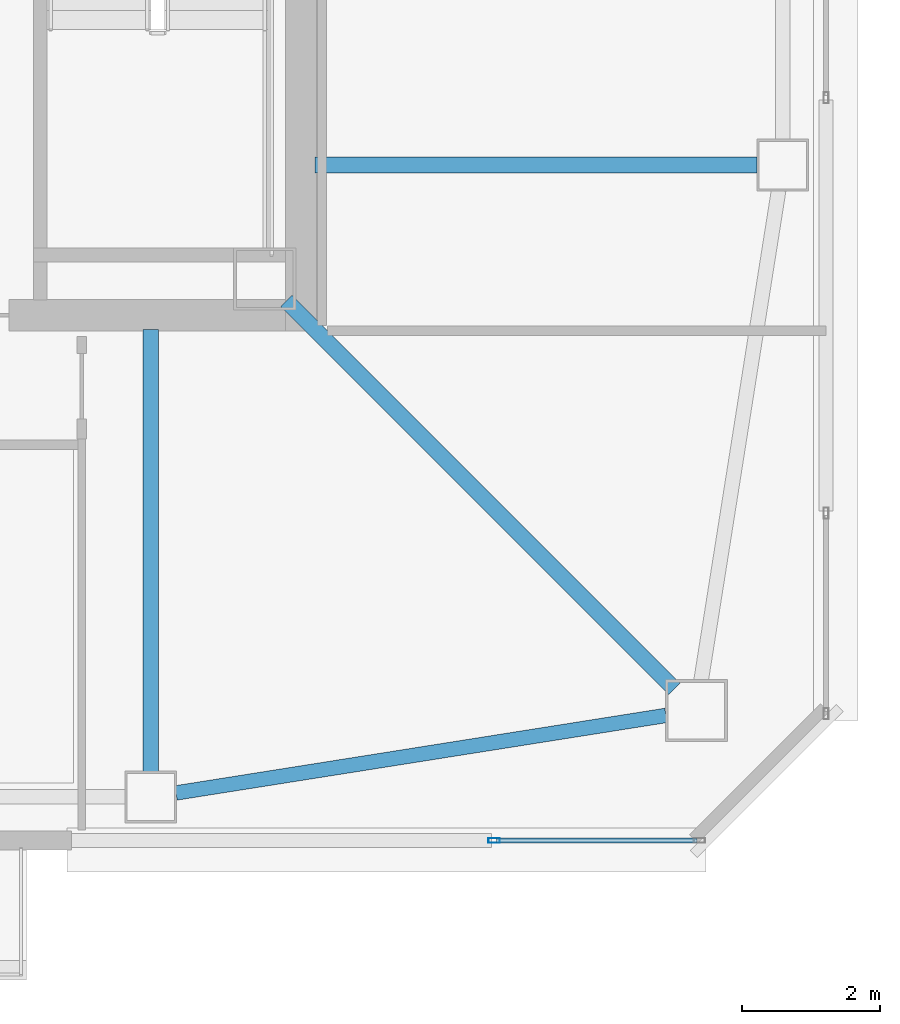
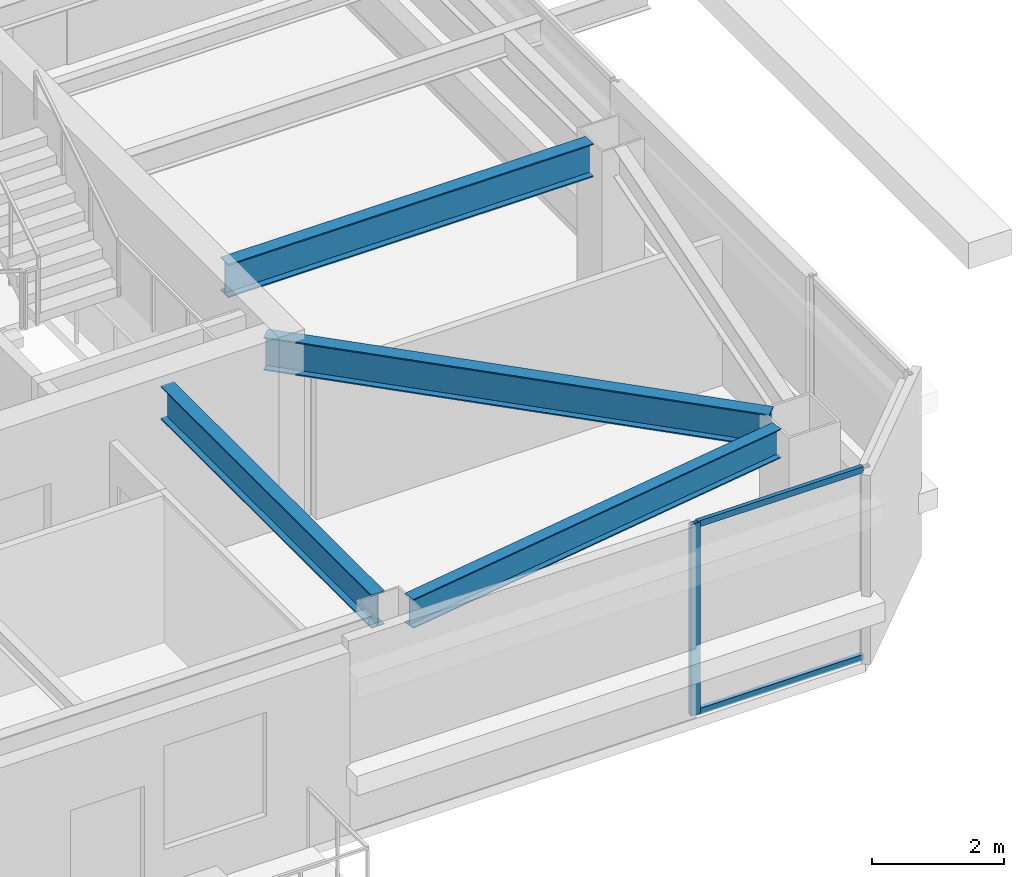
# One storey, part 6 of 31: 4 beams, 3 members, 1 element without a shape of its own.
"""IFC4 building model written with IfcOpenShell, lengths in metres."""

from ifc_helpers import new_model, si_unit, direction, frame, origin, origin_2d, place, context, subcontext, project, spatial, hollow_rectangle, i_section, extrude, material, material_profile, profile_set, type_object, element, aggregate, save


model = new_model("IFC4")

# Units and contexts
model_context = context("Model", 3, precision=1e-05, world=origin(), true_north=direction((0.0, 1.0)))
body_context = subcontext(model_context, "Body", "Model", "MODEL_VIEW")
ifc_project = project(units=[si_unit("LENGTHUNIT", "METRE"), si_unit("AREAUNIT", "SQUARE_METRE"), si_unit("VOLUMEUNIT", "CUBIC_METRE"), si_unit("PLANEANGLEUNIT", "RADIAN"), si_unit("MASSUNIT", "GRAM", prefix="KILO")], contexts=[model_context])

# Site, building, storey
site_placement = place(None, origin())
site = spatial("IfcSite", under=ifc_project, at=site_placement, CompositionType="ELEMENT")
building_placement = place(site_placement, origin())
building = spatial("IfcBuilding", under=site, at=building_placement, Name="Tashvorn Skyway Center", CompositionType="ELEMENT")
storey_placement = place(building_placement, frame((0.0, 0.0, 266.949951171875)))
storey = spatial("IfcBuildingStorey", under=building, at=storey_placement, Name="L72", CompositionType="ELEMENT", Elevation=266.949951171875)

# Beams
ifc_material_1 = material(Name="Steel ASTM A992 Grade 50", Category="steel")
ifc_material_profile_1 = material_profile(ifc_material_1, i_section(OverallWidth=0.22998046875, OverallDepth=0.616943359375, WebThickness=0.01318359375, FlangeThickness=0.022216796875, at=origin_2d()), Name="W24X94")
ifc_profile_set_1 = profile_set([ifc_material_profile_1], Name="Steel ASTM A992 Grade 50")
beam_type_1 = type_object("IfcBeamType", Name="BM-BEAM-W24X94", PredefinedType="BEAM", material=ifc_profile_set_1)
beam_1_placement = place(storey_placement, frame((54.9853515625, 19.0146484375, 3.0615234375), z_axis=(-0.707106781187, 0.707106781187, 0.0), x_axis=(-0.707106781187, -0.707106781187, 0.0)))
element("IfcBeam", 1, at=beam_1_placement, inside=storey, type_object=beam_type_1, Name="Tower 1 L72 Primary Floor Girder MC-SE", PredefinedType="BEAM", context=body_context, shape_type="SweptSolid", body=[
    extrude(i_section(OverallWidth=0.22998046875, OverallDepth=0.616943359375, WebThickness=0.01318359375, FlangeThickness=0.022216796875, at=origin_2d()), origin(), (0.0, 0.0, 1.0), 7.94873046875),
])
for number, where, z_axis, x_axis, name in (
    (2, (47.39990234375, 17.820068359375, 3.0615234375), (0.0, 1.0, 0.0), (-1.0, 0.0, 0.0), "Tower 1 L72 Primary Floor Girder FC-S2"),
    (3, (56.179931640625, 26.60009765625, 3.0615234375), (-1.0, 0.0, 0.0), (0.0, -1.0, 0.0), "Tower 1 L72 Primary Floor Girder FC-E1"),
):
    element("IfcBeam", number, at=place(storey_placement, frame(where, z_axis=z_axis, x_axis=x_axis)), inside=storey, type_object=beam_type_1, Name=name, PredefinedType="BEAM", context=body_context, shape_type="SweptSolid", body=[
        extrude(i_section(OverallWidth=0.22998046875, OverallDepth=0.616943359375, WebThickness=0.01318359375, FlangeThickness=0.022216796875, at=origin_2d()), origin(), (0.0, 0.0, 1.0), 6.39990234375),
    ])
ifc_material_profile_2 = material_profile(ifc_material_1, i_section(OverallWidth=0.2109375, OverallDepth=0.5390625, WebThickness=0.01171875, FlangeThickness=0.018798828125, at=origin_2d()), Name="W21X73")
ifc_profile_set_2 = profile_set([ifc_material_profile_2], Name="Steel ASTM A992 Grade 50")
beam_type_2 = type_object("IfcBeamType", Name="BM-SPANDREL-W21X73", PredefinedType="SPANDREL", material=ifc_profile_set_2)
beam_2_placement = place(storey_placement, frame((47.765380859375, 17.5078125, 3.1005859375), z_axis=(0.987713587978, 0.156274976, 0.0), x_axis=(-0.156274976, 0.987713587978, 0.0)))
element("IfcBeam", 4, at=beam_2_placement, inside=storey, type_object=beam_type_2, Name="Tower 1 L72 Spandrel Beam 03", PredefinedType="SPANDREL", context=body_context, shape_type="SweptSolid", body=[
    extrude(i_section(OverallWidth=0.2109375, OverallDepth=0.5390625, WebThickness=0.01171875, FlangeThickness=0.018798828125, at=origin_2d()), origin(), (0.0, 0.0, 1.0), 7.18310546875),
])

# Curtain wall, members
ifc_material_2 = material(Name="Thermally broken bronze-anodized aluminium 6063-T6", Category="aluminium")
curtain_wall_type = type_object("IfcCurtainWallType", Name="CW-CW-Z5", PredefinedType="NOTDEFINED", material=ifc_material_2)
curtain_wall_placement = place(storey_placement, origin())
curtain_wall = element("IfcCurtainWall", 5, at=curtain_wall_placement, inside=storey, type_object=curtain_wall_type, Name="Tower 1 L72 South Curtain Wall L Glazing Group 1", PredefinedType="NOTDEFINED")
ifc_material_profile_3 = material_profile(ifc_material_2, hollow_rectangle(XDim=0.070068359375, YDim=0.1650390625, WallThickness=0.00390625, at=origin_2d()), Name="ALU-MULL-70x165")
ifc_profile_set_3 = profile_set([ifc_material_profile_3], Name="Thermally broken bronze-anodized aluminium 6063-T6")
member_type_1 = type_object("IfcMemberType", Name="CWM-CW-Z5", PredefinedType="MULLION", material=ifc_profile_set_3)
member_1_placement = place(storey_placement, frame((52.37158203125, 16.820068359375, 0.0), z_axis=(0.0, 0.0, 1.0), x_axis=(0.0, -1.0, 0.0)))
member_1 = element("IfcMember", 6, at=member_1_placement, type_object=member_type_1, Name="CW-Z5 mullion 2", PredefinedType="MULLION", context=body_context, shape_type="SweptSolid", body=[
    extrude(hollow_rectangle(XDim=0.070068359375, YDim=0.1650390625, WallThickness=0.00390625, at=origin_2d()), origin(), (0.0, 0.0, 1.0), 3.550048828125),
])
ifc_material_profile_4 = material_profile(ifc_material_2, hollow_rectangle(XDim=0.070068359375, YDim=0.114990234375, WallThickness=0.00390625, at=origin_2d()), Name="ALU-TRAN-70x115")
ifc_profile_set_4 = profile_set([ifc_material_profile_4], Name="Thermally broken bronze-anodized aluminium 6063-T6")
member_type_2 = type_object("IfcMemberType", Name="CWT-CW-Z5", PredefinedType="USERDEFINED", material=ifc_profile_set_4)
member_2_placement = place(storey_placement, frame((55.31005859375, 16.820068359375, 0.03515625), z_axis=(-1.0, 0.0, 0.0), x_axis=(0.0, -1.0, 0.0)))
member_2 = element("IfcMember", 7, at=member_2_placement, type_object=member_type_2, Name="CW-Z5 transom 1.1", ObjectType="TRANSOM", PredefinedType="USERDEFINED", context=body_context, shape_type="SweptSolid", body=[
    extrude(hollow_rectangle(XDim=0.070068359375, YDim=0.114990234375, WallThickness=0.00390625, at=origin_2d()), origin(), (0.0, 0.0, 1.0), 2.9033203125),
])
member_3_placement = place(storey_placement, frame((55.31005859375, 16.820068359375, 3.51513671875), z_axis=(-1.0, 0.0, 0.0), x_axis=(0.0, -1.0, 0.0)))
member_3 = element("IfcMember", 8, at=member_3_placement, type_object=member_type_2, Name="CW-Z5 transom 1.2", ObjectType="TRANSOM", PredefinedType="USERDEFINED", context=body_context, shape_type="SweptSolid", body=[
    extrude(hollow_rectangle(XDim=0.070068359375, YDim=0.114990234375, WallThickness=0.00390625, at=origin_2d()), origin(), (0.0, 0.0, 1.0), 2.9033203125),
])
aggregate(curtain_wall, [member_1, member_2, member_3])

save(model, "model.ifc")
